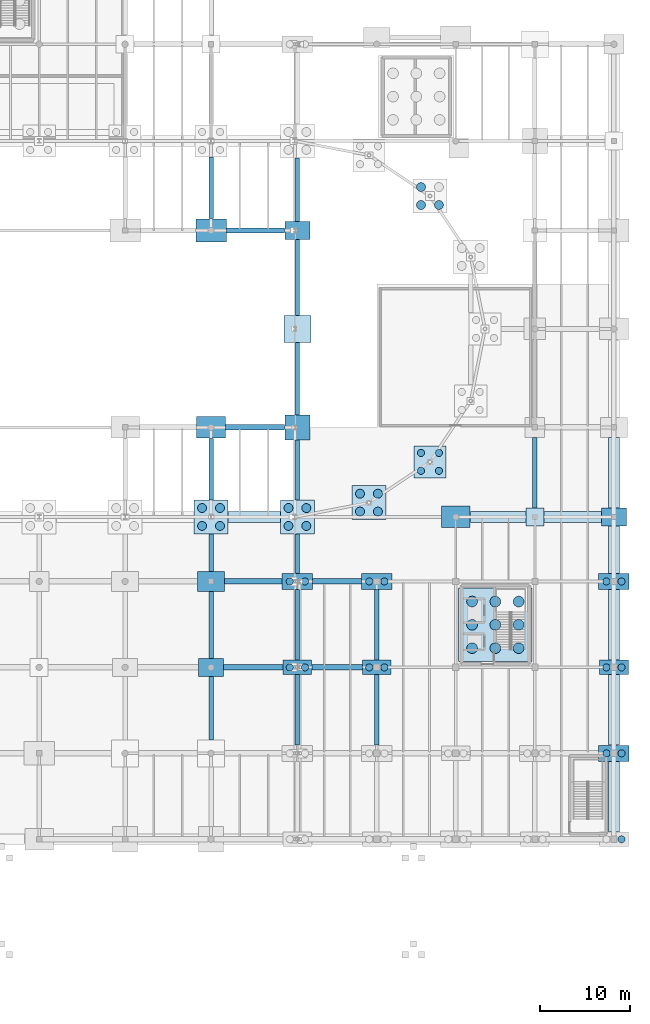
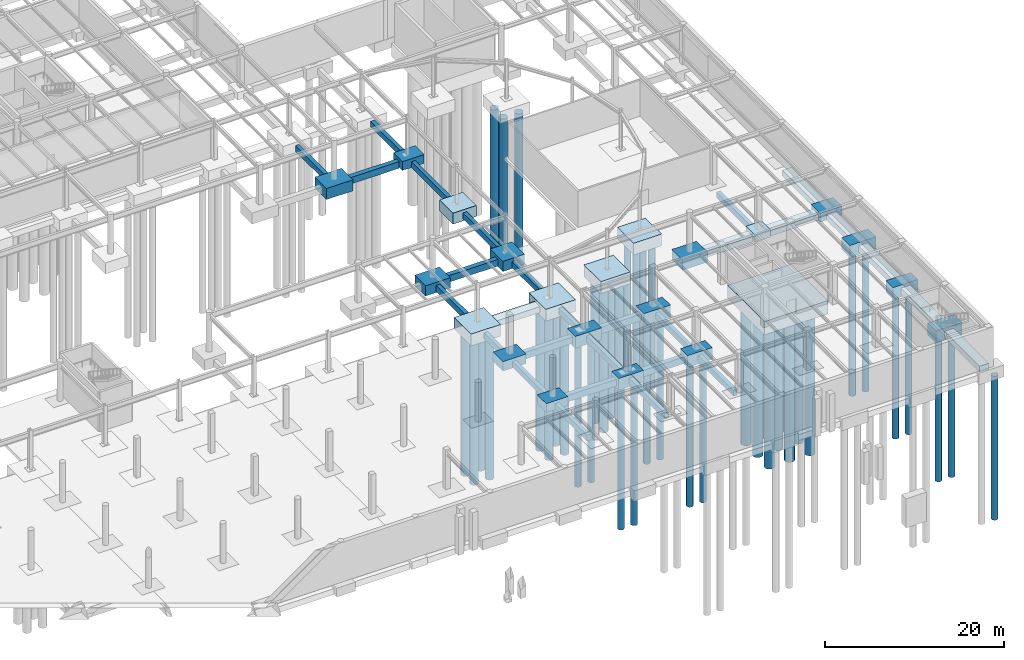
# One storey, part 8 of 50: 51 footings, 43 piles.
"""IFC4 building model written with IfcOpenShell, lengths in metres."""

from ifc_helpers import new_model, si_unit, direction, frame, origin, origin_2d, place, context, subcontext, project, spatial, polyline, rectangle, circle, outline, extrude, material, material_profile, profile_set, type_object, element, save


model = new_model("IFC4")

# Units and contexts
model_context = context("Model", 3, precision=1e-05, world=origin(), true_north=direction((0.0, 1.0)))
body_context = subcontext(model_context, "Body", "Model", "MODEL_VIEW")
ifc_project = project(units=[si_unit("LENGTHUNIT", "METRE"), si_unit("AREAUNIT", "SQUARE_METRE"), si_unit("VOLUMEUNIT", "CUBIC_METRE"), si_unit("PLANEANGLEUNIT", "RADIAN"), si_unit("MASSUNIT", "GRAM", prefix="KILO")], contexts=[model_context])

# Site, building, storey
site_placement = place(None, origin())
site = spatial("IfcSite", under=ifc_project, at=site_placement, CompositionType="ELEMENT")
building_placement = place(site_placement, origin())
building = spatial("IfcBuilding", under=site, at=building_placement, Name="Yeouljin Market Hall", CompositionType="ELEMENT")
storey_placement = place(building_placement, frame((0.0, 0.0, -5.39990234375)))
storey = spatial("IfcBuildingStorey", under=building, at=storey_placement, Name="B1", CompositionType="ELEMENT", Elevation=-5.39990234375)

# Footings
ifc_material_1 = material(Name="Concrete C35/45", Category="concrete")
ifc_material_profile_1 = material_profile(ifc_material_1, rectangle(XDim=0.5, YDim=0.800048828125, at=origin_2d()), Name="RC-500x800")
ifc_profile_set_1 = profile_set([ifc_material_profile_1], Name="Concrete C35/45")
footing_type_1 = type_object("IfcFootingType", Name="FootingBeam_500x800", PredefinedType="FOOTING_BEAM", material=ifc_profile_set_1)
footing_1_placement = place(storey_placement, frame((131.39990234375, 11.110107421875, -0.800048828125), z_axis=(0.0, 1.0, 0.0), x_axis=(-1.0, 0.0, 0.0)))
element("IfcFooting", 1, at=footing_1_placement, inside=storey, type_object=footing_type_1, Name="Foundation tie beam Y-234", PredefinedType="FOOTING_BEAM", context=body_context, shape_type="SweptSolid", body=[
    extrude(rectangle(XDim=0.5, YDim=0.800048828125, at=origin_2d()), origin(), (0.0, 0.0, 1.0), 7.079833984375),
])
footing_2_placement = place(storey_placement, frame((131.39990234375, 20.2099609375, -0.800048828125), z_axis=(0.0, 1.0, 0.0), x_axis=(-1.0, 0.0, 0.0)))
element("IfcFooting", 2, at=footing_2_placement, inside=storey, type_object=footing_type_1, Name="Foundation tie beam Y-235", PredefinedType="FOOTING_BEAM", context=body_context, shape_type="SweptSolid", body=[
    extrude(rectangle(XDim=0.5, YDim=0.800048828125, at=origin_2d()), origin(), (0.0, 0.0, 1.0), 7.47998046875),
])
footing_3_placement = place(storey_placement, frame((131.39990234375, 29.909912109375, -0.800048828125), z_axis=(0.0, 1.0, 0.0), x_axis=(-1.0, 0.0, 0.0)))
element("IfcFooting", 3, at=footing_3_placement, inside=storey, type_object=footing_type_1, Name="Foundation tie beam Y-236", PredefinedType="FOOTING_BEAM", context=body_context, shape_type="SweptSolid", body=[
    extrude(rectangle(XDim=0.5, YDim=0.800048828125, at=origin_2d()), origin(), (0.0, 0.0, 1.0), 4.18017578125),
])
footing_4_placement = place(storey_placement, frame((131.39990234375, 37.909912109375, -0.800048828125), z_axis=(0.0, 1.0, 0.0), x_axis=(-1.0, 0.0, 0.0)))
element("IfcFooting", 4, at=footing_4_placement, inside=storey, type_object=footing_type_1, Name="Foundation tie beam Y-237", PredefinedType="FOOTING_BEAM", context=body_context, shape_type="SweptSolid", body=[
    extrude(rectangle(XDim=0.5, YDim=0.800048828125, at=origin_2d()), origin(), (0.0, 0.0, 1.0), 6.880126953125),
])
footing_5_placement = place(storey_placement, frame((131.39990234375, 69.31005859375, -0.800048828125), z_axis=(0.0, 1.0, 0.0), x_axis=(-1.0, 0.0, 0.0)))
element("IfcFooting", 5, at=footing_5_placement, inside=storey, type_object=footing_type_1, Name="Foundation tie beam Y-238", PredefinedType="FOOTING_BEAM", context=body_context, shape_type="SweptSolid", body=[
    extrude(rectangle(XDim=0.5, YDim=0.800048828125, at=origin_2d()), origin(), (0.0, 0.0, 1.0), 6.8798828125),
])
for number, where, z_axis, x_axis, name in (
    (6, (141.0400390625, 10.510009765625, -0.800048828125), (0.0, 1.0, 0.0), (-1.0, 0.0, 0.0), "Foundation tie beam Y-244"),
    (7, (141.0400390625, 20.010009765625, -0.800048828125), (0.0, 1.0, 0.0), (-1.0, 0.0, 0.0), "Foundation tie beam Y-245"),
):
    element("IfcFooting", number, at=place(storey_placement, frame(where, z_axis=z_axis, x_axis=x_axis)), inside=storey, type_object=footing_type_1, Name=name, PredefinedType="FOOTING_BEAM", context=body_context, shape_type="SweptSolid", body=[
        extrude(rectangle(XDim=0.5, YDim=0.800048828125, at=origin_2d()), origin(), (0.0, 0.0, 1.0), 7.8798828125),
    ])
footing_6_placement = place(storey_placement, frame((141.0400390625, 29.7099609375, -0.800048828125), z_axis=(0.0, 1.0, 0.0), x_axis=(-1.0, 0.0, 0.0)))
element("IfcFooting", 8, at=footing_6_placement, inside=storey, type_object=footing_type_1, Name="Foundation tie beam Y-246", PredefinedType="FOOTING_BEAM", context=body_context, shape_type="SweptSolid", body=[
    extrude(rectangle(XDim=0.5, YDim=0.800048828125, at=origin_2d()), origin(), (0.0, 0.0, 1.0), 4.380126953125),
])
footing_7_placement = place(storey_placement, frame((141.0400390625, 37.909912109375, -0.800048828125), z_axis=(0.0, 1.0, 0.0), x_axis=(-1.0, 0.0, 0.0)))
element("IfcFooting", 9, at=footing_7_placement, inside=storey, type_object=footing_type_1, Name="Foundation tie beam Y-247", PredefinedType="FOOTING_BEAM", context=body_context, shape_type="SweptSolid", body=[
    extrude(rectangle(XDim=0.5, YDim=0.800048828125, at=origin_2d()), origin(), (0.0, 0.0, 1.0), 6.68017578125),
])
footing_8_placement = place(storey_placement, frame((141.0400390625, 47.409912109375, -0.800048828125), z_axis=(0.0, 1.0, 0.0), x_axis=(-1.0, 0.0, 0.0)))
element("IfcFooting", 10, at=footing_8_placement, inside=storey, type_object=footing_type_1, Name="Foundation tie beam Y-248", PredefinedType="FOOTING_BEAM", context=body_context, shape_type="SweptSolid", body=[
    extrude(rectangle(XDim=0.5, YDim=0.800048828125, at=origin_2d()), origin(), (0.0, 0.0, 1.0), 8.080078125),
])
footing_9_placement = place(storey_placement, frame((141.0400390625, 58.510009765625, -0.800048828125), z_axis=(0.0, 1.0, 0.0), x_axis=(-1.0, 0.0, 0.0)))
element("IfcFooting", 11, at=footing_9_placement, inside=storey, type_object=footing_type_1, Name="Foundation tie beam Y-249", PredefinedType="FOOTING_BEAM", context=body_context, shape_type="SweptSolid", body=[
    extrude(rectangle(XDim=0.5, YDim=0.800048828125, at=origin_2d()), origin(), (0.0, 0.0, 1.0), 8.47998046875),
])
footing_10_placement = place(storey_placement, frame((141.0400390625, 69.010009765625, -0.800048828125), z_axis=(0.0, 1.0, 0.0), x_axis=(-1.0, 0.0, 0.0)))
element("IfcFooting", 12, at=footing_10_placement, inside=storey, type_object=footing_type_1, Name="Foundation tie beam Y-250", PredefinedType="FOOTING_BEAM", context=body_context, shape_type="SweptSolid", body=[
    extrude(rectangle(XDim=0.5, YDim=0.800048828125, at=origin_2d()), origin(), (0.0, 0.0, 1.0), 7.080078125),
])
for number, where, z_axis, x_axis, name in (
    (13, (149.909912109375, 10.510009765625, -0.800048828125), (0.0, 1.0, 0.0), (-1.0, 0.0, 0.0), "Foundation tie beam Y-253"),
    (14, (149.909912109375, 20.010009765625, -0.800048828125), (0.0, 1.0, 0.0), (-1.0, 0.0, 0.0), "Foundation tie beam Y-254"),
    (15, (167.570068359375, 37.010009765625, -0.800048828125), (0.0, 1.0, 0.0), (-1.0, 0.0, 0.0), "Foundation tie beam Y-259"),
):
    element("IfcFooting", number, at=place(storey_placement, frame(where, z_axis=z_axis, x_axis=x_axis)), inside=storey, type_object=footing_type_1, Name=name, PredefinedType="FOOTING_BEAM", context=body_context, shape_type="SweptSolid", body=[
        extrude(rectangle(XDim=0.5, YDim=0.800048828125, at=origin_2d()), origin(), (0.0, 0.0, 1.0), 7.8798828125),
    ])
ifc_material_2 = material(Name="Concrete C35/45", Category="concrete")
ifc_material_profile_2 = material_profile(ifc_material_2, rectangle(XDim=0.60009765625, YDim=0.89990234375, at=origin_2d()), Name="RC-600x900")
ifc_profile_set_2 = profile_set([ifc_material_profile_2], Name="Concrete C35/45")
footing_type_2 = type_object("IfcFootingType", Name="FootingBeam_600x900", PredefinedType="FOOTING_BEAM", material=ifc_profile_set_2)
footing_11_placement = place(storey_placement, frame((132.81005859375, 19.199951171875, -0.85009765625), z_axis=(1.0, 0.0, 0.0), x_axis=(0.0, 1.0, 0.0)))
element("IfcFooting", 16, at=footing_11_placement, inside=storey, type_object=footing_type_2, Name="Foundation tie beam X-050", PredefinedType="FOOTING_BEAM", context=body_context, shape_type="SweptSolid", body=[
    extrude(rectangle(XDim=0.60009765625, YDim=0.89990234375, at=origin_2d()), origin(), (0.0, 0.0, 1.0), 6.619873046875),
])
footing_12_placement = place(storey_placement, frame((142.64990234375, 19.199951171875, -0.85009765625), z_axis=(1.0, 0.0, 0.0), x_axis=(0.0, 1.0, 0.0)))
element("IfcFooting", 17, at=footing_12_placement, inside=storey, type_object=footing_type_2, Name="Foundation tie beam X-051", PredefinedType="FOOTING_BEAM", context=body_context, shape_type="SweptSolid", body=[
    extrude(rectangle(XDim=0.60009765625, YDim=0.89990234375, at=origin_2d()), origin(), (0.0, 0.0, 1.0), 5.650146484375),
])
footing_13_placement = place(storey_placement, frame((132.909912109375, 28.800048828125, -0.85009765625), z_axis=(1.0, 0.0, 0.0), x_axis=(0.0, 1.0, 0.0)))
element("IfcFooting", 18, at=footing_13_placement, inside=storey, type_object=footing_type_2, Name="Foundation tie beam X-063", PredefinedType="FOOTING_BEAM", context=body_context, shape_type="SweptSolid", body=[
    extrude(rectangle(XDim=0.60009765625, YDim=0.89990234375, at=origin_2d()), origin(), (0.0, 0.0, 1.0), 6.420166015625),
])
footing_14_placement = place(storey_placement, frame((142.75, 28.800048828125, -0.85009765625), z_axis=(1.0, 0.0, 0.0), x_axis=(0.0, 1.0, 0.0)))
element("IfcFooting", 19, at=footing_14_placement, inside=storey, type_object=footing_type_2, Name="Foundation tie beam X-064", PredefinedType="FOOTING_BEAM", context=body_context, shape_type="SweptSolid", body=[
    extrude(rectangle(XDim=0.60009765625, YDim=0.89990234375, at=origin_2d()), origin(), (0.0, 0.0, 1.0), 5.449951171875),
])
footing_15_placement = place(storey_placement, frame((133.010009765625, 46.0, -0.85009765625), z_axis=(1.0, 0.0, 0.0), x_axis=(0.0, 1.0, 0.0)))
element("IfcFooting", 20, at=footing_15_placement, inside=storey, type_object=footing_type_2, Name="Foundation tie beam X-084", PredefinedType="FOOTING_BEAM", context=body_context, shape_type="SweptSolid", body=[
    extrude(rectangle(XDim=0.60009765625, YDim=0.89990234375, at=origin_2d()), origin(), (0.0, 0.0, 1.0), 6.619873046875),
])
footing_16_placement = place(storey_placement, frame((133.110107421875, 68.0, -0.85009765625), z_axis=(1.0, 0.0, 0.0), x_axis=(0.0, 1.0, 0.0)))
element("IfcFooting", 21, at=footing_16_placement, inside=storey, type_object=footing_type_2, Name="Foundation tie beam X-091", PredefinedType="FOOTING_BEAM", context=body_context, shape_type="SweptSolid", body=[
    extrude(rectangle(XDim=0.60009765625, YDim=0.89990234375, at=origin_2d()), origin(), (0.0, 0.0, 1.0), 6.519775390625),
])
ifc_material_3 = material(Name="Concrete C35/45", Category="concrete")
footing_type_3 = type_object("IfcFootingType", Name="PadFooting_2000x2000x1000", PredefinedType="PAD_FOOTING", material=ifc_material_3)
footing_17_placement = place(storey_placement, frame((0.0, 0.0, -1.0)))
element("IfcFooting", 22, at=footing_17_placement, inside=storey, type_object=footing_type_3, Name="Pile cap FPAD-101", PredefinedType="PAD_FOOTING", context=body_context, shape_type="SweptSolid", body=[
    extrude(outline(polyline([(166.570068359375, 35.0), (168.570068359375, 35.0), (168.570068359375, 37.0), (166.570068359375, 37.0), (166.570068359375, 35.0)])), origin(), (0.0, 0.0, 1.0), 1.0),
])
ifc_material_4 = material(Name="Concrete C35/45", Category="concrete")
footing_type_4 = type_object("IfcFootingType", Name="PadFooting_2800x2000x1200", PredefinedType="PAD_FOOTING", material=ifc_material_4)
footing_18_placement = place(storey_placement, frame((0.0, 0.0, -1.2001953125)))
element("IfcFooting", 23, at=footing_18_placement, inside=storey, type_object=footing_type_4, Name="Pile cap FPAD-087", PredefinedType="PAD_FOOTING", context=body_context, shape_type="SweptSolid", body=[
    extrude(outline(polyline([(130.0, 18.199951171875), (132.800048828125, 18.199951171875), (132.800048828125, 20.199951171875), (130.0, 20.199951171875), (130.0, 18.199951171875)])), origin(), (0.0, 0.0, 1.0), 1.2001953125),
])
footing_19_placement = place(storey_placement, frame((0.0, 0.0, -1.2001953125)))
element("IfcFooting", 24, at=footing_19_placement, inside=storey, type_object=footing_type_4, Name="Pile cap FPAD-097", PredefinedType="PAD_FOOTING", context=body_context, shape_type="SweptSolid", body=[
    extrude(outline(polyline([(139.639892578125, 67.0), (142.43994140625, 67.0), (142.43994140625, 69.0), (139.639892578125, 69.0), (139.639892578125, 67.0)])), origin(), (0.0, 0.0, 1.0), 1.2001953125),
])
footing_20_placement = place(storey_placement, frame((0.0, 0.0, -1.2001953125)))
element("IfcFooting", 25, at=footing_20_placement, inside=storey, type_object=footing_type_4, Name="Pile cap FPAD-107", PredefinedType="PAD_FOOTING", context=body_context, shape_type="SweptSolid", body=[
    extrude(outline(polyline([(175.0, 35.0), (177.800048828125, 35.0), (177.800048828125, 37.0), (175.0, 37.0), (175.0, 35.0)])), origin(), (0.0, 0.0, 1.0), 1.2001953125),
])
ifc_material_5 = material(Name="Concrete C35/45", Category="concrete")
footing_type_5 = type_object("IfcFootingType", Name="PadFooting_2800x2800x1400", PredefinedType="PAD_FOOTING", material=ifc_material_5)
footing_21_placement = place(storey_placement, frame((0.0, 0.0, -1.400146484375)))
element("IfcFooting", 26, at=footing_21_placement, inside=storey, type_object=footing_type_5, Name="Pile cap FPAD-095", PredefinedType="PAD_FOOTING", context=body_context, shape_type="SweptSolid", body=[
    extrude(outline(polyline([(139.639892578125, 44.60009765625), (142.43994140625, 44.60009765625), (142.43994140625, 47.39990234375), (139.639892578125, 47.39990234375), (139.639892578125, 44.60009765625)])), origin(), (0.0, 0.0, 1.0), 1.400146484375),
])
ifc_material_6 = material(Name="Concrete C35/45", Category="concrete")
footing_type_6 = type_object("IfcFootingType", Name="PadFooting_3000x2200x1300", PredefinedType="PAD_FOOTING", material=ifc_material_6)
footing_22_placement = place(storey_placement, frame((0.0, 0.0, -1.300048828125)))
element("IfcFooting", 27, at=footing_22_placement, inside=storey, type_object=footing_type_6, Name="Pile cap FPAD-088", PredefinedType="PAD_FOOTING", context=body_context, shape_type="SweptSolid", body=[
    extrude(outline(polyline([(129.89990234375, 27.699951171875), (132.89990234375, 27.699951171875), (132.89990234375, 29.89990234375), (129.89990234375, 29.89990234375), (129.89990234375, 27.699951171875)])), origin(), (0.0, 0.0, 1.0), 1.300048828125),
])
ifc_material_7 = material(Name="Concrete C35/45", Category="concrete")
footing_type_7 = type_object("IfcFootingType", Name="PadFooting_3000x3000x1500", PredefinedType="PAD_FOOTING", material=ifc_material_7)
footing_23_placement = place(storey_placement, frame((0.0, 0.0, -1.5)))
element("IfcFooting", 28, at=footing_23_placement, inside=storey, type_object=footing_type_7, Name="Pile cap FPAD-096", PredefinedType="PAD_FOOTING", context=body_context, shape_type="SweptSolid", body=[
    extrude(outline(polyline([(139.5400390625, 55.5), (142.5400390625, 55.5), (142.5400390625, 58.5), (139.5400390625, 58.5), (139.5400390625, 55.5)])), origin(), (0.0, 0.0, 1.0), 1.5),
])
ifc_material_8 = material(Name="Concrete C35/45", Category="concrete")
footing_type_8 = type_object("IfcFootingType", Name="PadFooting_3200x2400x1400", PredefinedType="PAD_FOOTING", material=ifc_material_8)
footing_24_placement = place(storey_placement, frame((0.0, 0.0, -1.400146484375)))
element("IfcFooting", 29, at=footing_24_placement, inside=storey, type_object=footing_type_8, Name="Pile cap FPAD-089", PredefinedType="PAD_FOOTING", context=body_context, shape_type="SweptSolid", body=[
    extrude(outline(polyline([(129.800048828125, 44.800048828125), (133.0, 44.800048828125), (133.0, 47.199951171875), (129.800048828125, 47.199951171875), (129.800048828125, 44.800048828125)])), origin(), (0.0, 0.0, 1.0), 1.400146484375),
])
footing_25_placement = place(storey_placement, frame((0.0, 0.0, -1.400146484375)))
element("IfcFooting", 30, at=footing_25_placement, inside=storey, type_object=footing_type_8, Name="Pile cap FPAD-099", PredefinedType="PAD_FOOTING", context=body_context, shape_type="SweptSolid", body=[
    extrude(outline(polyline([(157.139892578125, 34.800048828125), (160.340087890625, 34.800048828125), (160.340087890625, 37.199951171875), (157.139892578125, 37.199951171875), (157.139892578125, 34.800048828125)])), origin(), (0.0, 0.0, 1.0), 1.400146484375),
])
ifc_material_9 = material(Name="Concrete C35/45", Category="concrete")
footing_type_9 = type_object("IfcFootingType", Name="PadFooting_3400x2600x1500", PredefinedType="PAD_FOOTING", material=ifc_material_9)
footing_26_placement = place(storey_placement, frame((0.0, 0.0, -1.5)))
element("IfcFooting", 31, at=footing_26_placement, inside=storey, type_object=footing_type_9, Name="Pile cap FPAD-090", PredefinedType="PAD_FOOTING", context=body_context, shape_type="SweptSolid", body=[
    extrude(outline(polyline([(129.699951171875, 66.699951171875), (133.10009765625, 66.699951171875), (133.10009765625, 69.300048828125), (129.699951171875, 69.300048828125), (129.699951171875, 66.699951171875)])), origin(), (0.0, 0.0, 1.0), 1.5),
])
ifc_material_10 = material(Name="Concrete C35/45", Category="concrete")
footing_type_10 = type_object("IfcFootingType", Name="PileCap_2P_3200x1600x1600", PredefinedType="PILE_CAP", material=ifc_material_10)
footing_27_placement = place(storey_placement, frame((0.0, 0.0, -1.60009765625)))
element("IfcFooting", 32, at=footing_27_placement, inside=storey, type_object=footing_type_10, Name="Pile cap FCAP-C161", PredefinedType="PILE_CAP", context=body_context, shape_type="SweptSolid", body=[
    extrude(outline(polyline([(139.43994140625, 18.39990234375), (142.639892578125, 18.39990234375), (142.639892578125, 20.0), (139.43994140625, 20.0), (139.43994140625, 18.39990234375)])), origin(), (0.0, 0.0, 1.0), 1.60009765625),
])
footing_28_placement = place(storey_placement, frame((0.0, 0.0, -1.60009765625)))
element("IfcFooting", 33, at=footing_28_placement, inside=storey, type_object=footing_type_10, Name="Pile cap FCAP-C173", PredefinedType="PILE_CAP", context=body_context, shape_type="SweptSolid", body=[
    extrude(outline(polyline([(148.31005859375, 18.39990234375), (151.510009765625, 18.39990234375), (151.510009765625, 20.0), (148.31005859375, 20.0), (148.31005859375, 18.39990234375)])), origin(), (0.0, 0.0, 1.0), 1.60009765625),
])
footing_29_placement = place(storey_placement, frame((0.0, 0.0, -1.60009765625)))
element("IfcFooting", 34, at=footing_29_placement, inside=storey, type_object=footing_type_10, Name="Pile cap FCAP-C200", PredefinedType="PILE_CAP", context=body_context, shape_type="SweptSolid", body=[
    extrude(outline(polyline([(174.800048828125, 18.39990234375), (178.0, 18.39990234375), (178.0, 20.0), (174.800048828125, 20.0), (174.800048828125, 18.39990234375)])), origin(), (0.0, 0.0, 1.0), 1.60009765625),
])
ifc_material_11 = material(Name="Concrete C35/45", Category="concrete")
footing_type_11 = type_object("IfcFootingType", Name="PileCap_2P_3400x1800x1600", PredefinedType="PILE_CAP", material=ifc_material_11)
footing_30_placement = place(storey_placement, frame((0.0, 0.0, -1.60009765625)))
element("IfcFooting", 35, at=footing_30_placement, inside=storey, type_object=footing_type_11, Name="Pile cap FCAP-C162", PredefinedType="PILE_CAP", context=body_context, shape_type="SweptSolid", body=[
    extrude(outline(polyline([(139.340087890625, 27.89990234375), (142.739990234375, 27.89990234375), (142.739990234375, 29.699951171875), (139.340087890625, 29.699951171875), (139.340087890625, 27.89990234375)])), origin(), (0.0, 0.0, 1.0), 1.60009765625),
])
footing_31_placement = place(storey_placement, frame((0.0, 0.0, -1.60009765625)))
element("IfcFooting", 36, at=footing_31_placement, inside=storey, type_object=footing_type_11, Name="Pile cap FCAP-C174", PredefinedType="PILE_CAP", context=body_context, shape_type="SweptSolid", body=[
    extrude(outline(polyline([(148.2099609375, 27.89990234375), (151.610107421875, 27.89990234375), (151.610107421875, 29.699951171875), (148.2099609375, 29.699951171875), (148.2099609375, 27.89990234375)])), origin(), (0.0, 0.0, 1.0), 1.60009765625),
])
footing_32_placement = place(storey_placement, frame((0.0, 0.0, -1.60009765625)))
element("IfcFooting", 37, at=footing_32_placement, inside=storey, type_object=footing_type_11, Name="Pile cap FCAP-C199", PredefinedType="PILE_CAP", context=body_context, shape_type="SweptSolid", body=[
    extrude(outline(polyline([(174.699951171875, 8.699951171875), (178.10009765625, 8.699951171875), (178.10009765625, 10.5), (174.699951171875, 10.5), (174.699951171875, 8.699951171875)])), origin(), (0.0, 0.0, 1.0), 1.60009765625),
])
footing_33_placement = place(storey_placement, frame((0.0, 0.0, -1.60009765625)))
element("IfcFooting", 38, at=footing_33_placement, inside=storey, type_object=footing_type_11, Name="Pile cap FCAP-C201", PredefinedType="PILE_CAP", context=body_context, shape_type="SweptSolid", body=[
    extrude(outline(polyline([(174.699951171875, 27.89990234375), (178.10009765625, 27.89990234375), (178.10009765625, 29.699951171875), (174.699951171875, 29.699951171875), (174.699951171875, 27.89990234375)])), origin(), (0.0, 0.0, 1.0), 1.60009765625),
])
ifc_material_12 = material(Name="Concrete C35/45", Category="concrete")
footing_type_12 = type_object("IfcFootingType", Name="PileCap_4P_3600x3600x1600", PredefinedType="PILE_CAP", material=ifc_material_12)
footing_34_placement = place(storey_placement, frame((0.0, 0.0, -1.60009765625)))
element("IfcFooting", 39, at=footing_34_placement, inside=storey, type_object=footing_type_12, Name="Pile cap FCAP-C176", PredefinedType="PILE_CAP", context=body_context, shape_type="SweptSolid", body=[
    extrude(outline(polyline([(154.049072265625, 40.35107421875), (157.64892578125, 40.35107421875), (157.64892578125, 43.950927734375), (154.049072265625, 43.950927734375), (154.049072265625, 40.35107421875)])), origin(), (0.0, 0.0, 1.0), 1.60009765625),
])
ifc_material_13 = material(Name="Concrete C35/45", Category="concrete")
footing_type_13 = type_object("IfcFootingType", Name="PileCap_4P_3800x3800x1600", PredefinedType="PILE_CAP", material=ifc_material_13)
footing_35_placement = place(storey_placement, frame((0.0, 0.0, -1.60009765625)))
element("IfcFooting", 40, at=footing_35_placement, inside=storey, type_object=footing_type_13, Name="Pile cap FCAP-C151", PredefinedType="PILE_CAP", context=body_context, shape_type="SweptSolid", body=[
    extrude(outline(polyline([(129.5, 34.10009765625), (133.300048828125, 34.10009765625), (133.300048828125, 37.89990234375), (129.5, 37.89990234375), (129.5, 34.10009765625)])), origin(), (0.0, 0.0, 1.0), 1.60009765625),
])
footing_36_placement = place(storey_placement, frame((0.0, 0.0, -1.60009765625)))
element("IfcFooting", 41, at=footing_36_placement, inside=storey, type_object=footing_type_13, Name="Pile cap FCAP-C163", PredefinedType="PILE_CAP", context=body_context, shape_type="SweptSolid", body=[
    extrude(outline(polyline([(139.139892578125, 34.10009765625), (142.93994140625, 34.10009765625), (142.93994140625, 37.89990234375), (139.139892578125, 37.89990234375), (139.139892578125, 34.10009765625)])), origin(), (0.0, 0.0, 1.0), 1.60009765625),
])
footing_37_placement = place(storey_placement, frame((0.0, 0.0, -1.60009765625)))
element("IfcFooting", 42, at=footing_37_placement, inside=storey, type_object=footing_type_13, Name="Pile cap FCAP-C169", PredefinedType="PILE_CAP", context=body_context, shape_type="SweptSolid", body=[
    extrude(outline(polyline([(147.135986328125, 35.698974609375), (150.93603515625, 35.698974609375), (150.93603515625, 39.4990234375), (147.135986328125, 39.4990234375), (147.135986328125, 35.698974609375)])), origin(), (0.0, 0.0, 1.0), 1.60009765625),
])
ifc_material_14 = material(Name="Concrete C35/45", Category="concrete")
footing_type_14 = type_object("IfcFootingType", Name="PileCap_9P_8200x8200x1800", PredefinedType="PILE_CAP", material=ifc_material_14)
footing_38_placement = place(storey_placement, frame((0.0, 0.0, -1.800048828125)))
element("IfcFooting", 43, at=footing_38_placement, inside=storey, type_object=footing_type_14, Name="Pile cap FCAP-CORE-C3", PredefinedType="PILE_CAP", context=body_context, shape_type="SweptSolid", body=[
    extrude(outline(polyline([(159.054931640625, 19.85009765625), (167.2548828125, 19.85009765625), (167.2548828125, 28.050048828125), (159.054931640625, 28.050048828125), (159.054931640625, 19.85009765625)])), origin(), (0.0, 0.0, 1.0), 1.800048828125),
])

# Piles
ifc_material_15 = material(Name="Concrete C35/45", Category="concrete")
ifc_material_profile_3 = material_profile(ifc_material_15, circle(Radius=0.5, at=origin_2d()), Name="PILE-D1000")
ifc_profile_set_3 = profile_set([ifc_material_profile_3], Name="Concrete C35/45")
pile_type_1 = type_object("IfcPileType", Name="Pile_PILE-D1000", PredefinedType="BORED", material=ifc_profile_set_3)
for number, where, z_axis, x_axis, name in (
    (44, (130.39990234375, 35.0, -1.5), (0.0, 0.0, -1.0), (1.0, 0.0, 0.0), "Bored pile 259"),
    (45, (130.39990234375, 37.0, -1.5), (0.0, 0.0, -1.0), (1.0, 0.0, 0.0), "Bored pile 260"),
    (46, (132.39990234375, 35.0, -1.5), (0.0, 0.0, -1.0), (1.0, 0.0, 0.0), "Bored pile 261"),
    (47, (132.39990234375, 37.0, -1.5), (0.0, 0.0, -1.0), (1.0, 0.0, 0.0), "Bored pile 262"),
    (48, (140.0400390625, 35.0, -1.5), (0.0, 0.0, -1.0), (1.0, 0.0, 0.0), "Bored pile 275"),
    (49, (140.0400390625, 37.0, -1.5), (0.0, 0.0, -1.0), (1.0, 0.0, 0.0), "Bored pile 276"),
    (50, (142.0400390625, 35.0, -1.5), (0.0, 0.0, -1.0), (1.0, 0.0, 0.0), "Bored pile 277"),
    (51, (142.0400390625, 37.0, -1.5), (0.0, 0.0, -1.0), (1.0, 0.0, 0.0), "Bored pile 278"),
    (52, (148.035888671875, 36.59912109375, -1.5), (0.0, 0.0, -1.0), (1.0, 0.0, 0.0), "Bored pile 285"),
    (53, (148.035888671875, 38.59912109375, -1.5), (0.0, 0.0, -1.0), (1.0, 0.0, 0.0), "Bored pile 286"),
    (54, (150.035888671875, 36.59912109375, -1.5), (0.0, 0.0, -1.0), (1.0, 0.0, 0.0), "Bored pile 287"),
    (55, (150.035888671875, 38.59912109375, -1.5), (0.0, 0.0, -1.0), (1.0, 0.0, 0.0), "Bored pile 288"),
    (56, (154.84912109375, 70.84912109375, -1.5), (0.0, 0.0, -1.0), (1.0, 0.0, 0.0), "Bored pile 305"),
    (57, (154.84912109375, 72.84912109375, -1.5), (0.0, 0.0, -1.0), (1.0, 0.0, 0.0), "Bored pile 306"),
    (58, (156.84912109375, 70.84912109375, -1.5), (0.0, 0.0, -1.0), (1.0, 0.0, 0.0), "Bored pile 307"),
):
    element("IfcPile", number, at=place(storey_placement, frame(where, z_axis=z_axis, x_axis=x_axis)), inside=storey, type_object=pile_type_1, Name=name, PredefinedType="BORED", context=body_context, shape_type="SweptSolid", body=[
        extrude(circle(Radius=0.5, at=origin_2d()), origin(), (0.0, 0.0, 1.0), 19.60009765625),
    ])
ifc_material_16 = material(Name="Concrete C35/45", Category="concrete")
ifc_material_profile_4 = material_profile(ifc_material_16, circle(Radius=0.60009765625, at=origin_2d()), Name="PILE-D1200")
ifc_profile_set_4 = profile_set([ifc_material_profile_4], Name="Concrete C35/45")
pile_type_2 = type_object("IfcPileType", Name="Pile_PILE-D1200", PredefinedType="BORED", material=ifc_profile_set_4)
for number, where, z_axis, x_axis, name in (
    (59, (160.554931640625, 21.35009765625, -1.7001953125), (0.0, 0.0, -1.0), (1.0, 0.0, 0.0), "Bored pile 019"),
    (60, (160.554931640625, 23.949951171875, -1.7001953125), (0.0, 0.0, -1.0), (1.0, 0.0, 0.0), "Bored pile 020"),
    (61, (160.554931640625, 26.550048828125, -1.7001953125), (0.0, 0.0, -1.0), (1.0, 0.0, 0.0), "Bored pile 021"),
    (62, (163.155029296875, 21.35009765625, -1.7001953125), (0.0, 0.0, -1.0), (1.0, 0.0, 0.0), "Bored pile 022"),
    (63, (163.155029296875, 23.949951171875, -1.7001953125), (0.0, 0.0, -1.0), (1.0, 0.0, 0.0), "Bored pile 023"),
    (64, (163.155029296875, 26.550048828125, -1.7001953125), (0.0, 0.0, -1.0), (1.0, 0.0, 0.0), "Bored pile 024"),
    (65, (165.7548828125, 21.35009765625, -1.7001953125), (0.0, 0.0, -1.0), (1.0, 0.0, 0.0), "Bored pile 025"),
    (66, (165.7548828125, 23.949951171875, -1.7001953125), (0.0, 0.0, -1.0), (1.0, 0.0, 0.0), "Bored pile 026"),
    (67, (165.7548828125, 26.550048828125, -1.7001953125), (0.0, 0.0, -1.0), (1.0, 0.0, 0.0), "Bored pile 027"),
):
    element("IfcPile", number, at=place(storey_placement, frame(where, z_axis=z_axis, x_axis=x_axis)), inside=storey, type_object=pile_type_2, Name=name, PredefinedType="BORED", context=body_context, shape_type="SweptSolid", body=[
        extrude(circle(Radius=0.60009765625, at=origin_2d()), origin(), (0.0, 0.0, 1.0), 19.39990234375),
    ])
ifc_material_17 = material(Name="Concrete C35/45", Category="concrete")
ifc_material_profile_5 = material_profile(ifc_material_17, circle(Radius=0.39990234375, at=origin_2d()), Name="PILE-D800")
ifc_profile_set_5 = profile_set([ifc_material_profile_5], Name="Concrete C35/45")
pile_type_3 = type_object("IfcPileType", Name="Pile_PILE-D800", PredefinedType="BORED", material=ifc_profile_set_5)
for number, where, z_axis, x_axis, name in (
    (68, (140.18994140625, 19.199951171875, -1.5), (0.0, 0.0, -1.0), (1.0, 0.0, 0.0), "Bored pile 271"),
    (69, (141.889892578125, 19.199951171875, -1.5), (0.0, 0.0, -1.0), (1.0, 0.0, 0.0), "Bored pile 272"),
    (70, (140.18994140625, 28.800048828125, -1.5), (0.0, 0.0, -1.0), (1.0, 0.0, 0.0), "Bored pile 273"),
    (71, (141.889892578125, 28.800048828125, -1.5), (0.0, 0.0, -1.0), (1.0, 0.0, 0.0), "Bored pile 274"),
    (72, (149.06005859375, 19.199951171875, -1.5), (0.0, 0.0, -1.0), (1.0, 0.0, 0.0), "Bored pile 297"),
    (73, (150.760009765625, 19.199951171875, -1.5), (0.0, 0.0, -1.0), (1.0, 0.0, 0.0), "Bored pile 298"),
    (74, (149.06005859375, 28.800048828125, -1.5), (0.0, 0.0, -1.0), (1.0, 0.0, 0.0), "Bored pile 299"),
    (75, (150.760009765625, 28.800048828125, -1.5), (0.0, 0.0, -1.0), (1.0, 0.0, 0.0), "Bored pile 300"),
    (76, (154.84912109375, 41.15087890625, -1.5), (0.0, 0.0, -1.0), (1.0, 0.0, 0.0), "Bored pile 301"),
    (77, (154.84912109375, 43.15087890625, -1.5), (0.0, 0.0, -1.0), (1.0, 0.0, 0.0), "Bored pile 302"),
    (78, (156.84912109375, 41.15087890625, -1.5), (0.0, 0.0, -1.0), (1.0, 0.0, 0.0), "Bored pile 303"),
    (79, (156.84912109375, 43.15087890625, -1.5), (0.0, 0.0, -1.0), (1.0, 0.0, 0.0), "Bored pile 304"),
    (80, (177.25, 0.0, -1.5), (0.0, 0.0, -1.0), (1.0, 0.0, 0.0), "Bored pile 330"),
    (81, (175.550048828125, 9.60009765625, -1.5), (0.0, 0.0, -1.0), (1.0, 0.0, 0.0), "Bored pile 331"),
    (82, (177.25, 9.60009765625, -1.5), (0.0, 0.0, -1.0), (1.0, 0.0, 0.0), "Bored pile 332"),
    (83, (175.550048828125, 19.199951171875, -1.5), (0.0, 0.0, -1.0), (1.0, 0.0, 0.0), "Bored pile 333"),
    (84, (177.25, 19.199951171875, -1.5), (0.0, 0.0, -1.0), (1.0, 0.0, 0.0), "Bored pile 334"),
    (85, (175.550048828125, 28.800048828125, -1.5), (0.0, 0.0, -1.0), (1.0, 0.0, 0.0), "Bored pile 335"),
    (86, (177.25, 28.800048828125, -1.5), (0.0, 0.0, -1.0), (1.0, 0.0, 0.0), "Bored pile 336"),
):
    element("IfcPile", number, at=place(storey_placement, frame(where, z_axis=z_axis, x_axis=x_axis)), inside=storey, type_object=pile_type_3, Name=name, PredefinedType="BORED", context=body_context, shape_type="SweptSolid", body=[
        extrude(circle(Radius=0.39990234375, at=origin_2d()), origin(), (0.0, 0.0, 1.0), 19.60009765625),
    ])

# Footings
ifc_material_18 = material(Name="Concrete C35/45", Category="concrete")
ifc_material_profile_6 = material_profile(ifc_material_18, rectangle(XDim=1.199951171875, YDim=0.800048828125, at=origin_2d()), Name="SF-1200x800")
ifc_profile_set_6 = profile_set([ifc_material_profile_6], Name="Concrete C35/45")
footing_type_15 = type_object("IfcFootingType", Name="StripFooting_1200x800", PredefinedType="STRIP_FOOTING", material=ifc_profile_set_6)
footing_39_placement = place(storey_placement, frame((133.31005859375, 36.0, -0.800048828125), z_axis=(1.0, 0.0, 0.0), x_axis=(0.0, 1.0, 0.0)))
element("IfcFooting", 87, at=footing_39_placement, inside=storey, type_object=footing_type_15, Name="Foundation tie beam X-079", PredefinedType="STRIP_FOOTING", context=body_context, shape_type="SweptSolid", body=[
    extrude(rectangle(XDim=1.199951171875, YDim=0.800048828125, at=origin_2d()), origin(), (0.0, 0.0, 1.0), 5.81982421875),
])
footing_40_placement = place(storey_placement, frame((160.35009765625, 36.0, -0.800048828125), z_axis=(1.0, 0.0, 0.0), x_axis=(0.0, 1.0, 0.0)))
element("IfcFooting", 88, at=footing_40_placement, inside=storey, type_object=footing_type_15, Name="Foundation tie beam X-080", PredefinedType="STRIP_FOOTING", context=body_context, shape_type="SweptSolid", body=[
    extrude(rectangle(XDim=1.199951171875, YDim=0.800048828125, at=origin_2d()), origin(), (0.0, 0.0, 1.0), 6.2099609375),
])
footing_41_placement = place(storey_placement, frame((168.580078125, 36.0, -0.800048828125), z_axis=(1.0, 0.0, 0.0), x_axis=(0.0, 1.0, 0.0)))
element("IfcFooting", 89, at=footing_41_placement, inside=storey, type_object=footing_type_15, Name="Foundation tie beam X-081", PredefinedType="STRIP_FOOTING", context=body_context, shape_type="SweptSolid", body=[
    extrude(rectangle(XDim=1.199951171875, YDim=0.800048828125, at=origin_2d()), origin(), (0.0, 0.0, 1.0), 6.409912109375),
])
for number, where, z_axis, x_axis, name in (
    (90, (176.39990234375, 0.81005859375, -0.800048828125), (0.0, 1.0, 0.0), (-1.0, 0.0, 0.0), "Foundation tie beam Y-264"),
    (91, (176.39990234375, 10.510009765625, -0.800048828125), (0.0, 1.0, 0.0), (-1.0, 0.0, 0.0), "Foundation tie beam Y-265"),
    (92, (176.39990234375, 20.010009765625, -0.800048828125), (0.0, 1.0, 0.0), (-1.0, 0.0, 0.0), "Foundation tie beam Y-266"),
):
    element("IfcFooting", number, at=place(storey_placement, frame(where, z_axis=z_axis, x_axis=x_axis)), inside=storey, type_object=footing_type_15, Name=name, PredefinedType="STRIP_FOOTING", context=body_context, shape_type="SweptSolid", body=[
        extrude(rectangle(XDim=1.199951171875, YDim=0.800048828125, at=origin_2d()), origin(), (0.0, 0.0, 1.0), 7.8798828125),
    ])
footing_42_placement = place(storey_placement, frame((176.39990234375, 29.7099609375, -0.800048828125), z_axis=(0.0, 1.0, 0.0), x_axis=(-1.0, 0.0, 0.0)))
element("IfcFooting", 93, at=footing_42_placement, inside=storey, type_object=footing_type_15, Name="Foundation tie beam Y-267", PredefinedType="STRIP_FOOTING", context=body_context, shape_type="SweptSolid", body=[
    extrude(rectangle(XDim=1.199951171875, YDim=0.800048828125, at=origin_2d()), origin(), (0.0, 0.0, 1.0), 5.280029296875),
])
footing_43_placement = place(storey_placement, frame((176.39990234375, 37.010009765625, -0.800048828125), z_axis=(0.0, 1.0, 0.0), x_axis=(-1.0, 0.0, 0.0)))
element("IfcFooting", 94, at=footing_43_placement, inside=storey, type_object=footing_type_15, Name="Foundation tie beam Y-268", PredefinedType="STRIP_FOOTING", context=body_context, shape_type="SweptSolid", body=[
    extrude(rectangle(XDim=1.199951171875, YDim=0.800048828125, at=origin_2d()), origin(), (0.0, 0.0, 1.0), 7.8798828125),
])

save(model, "model.ifc")
